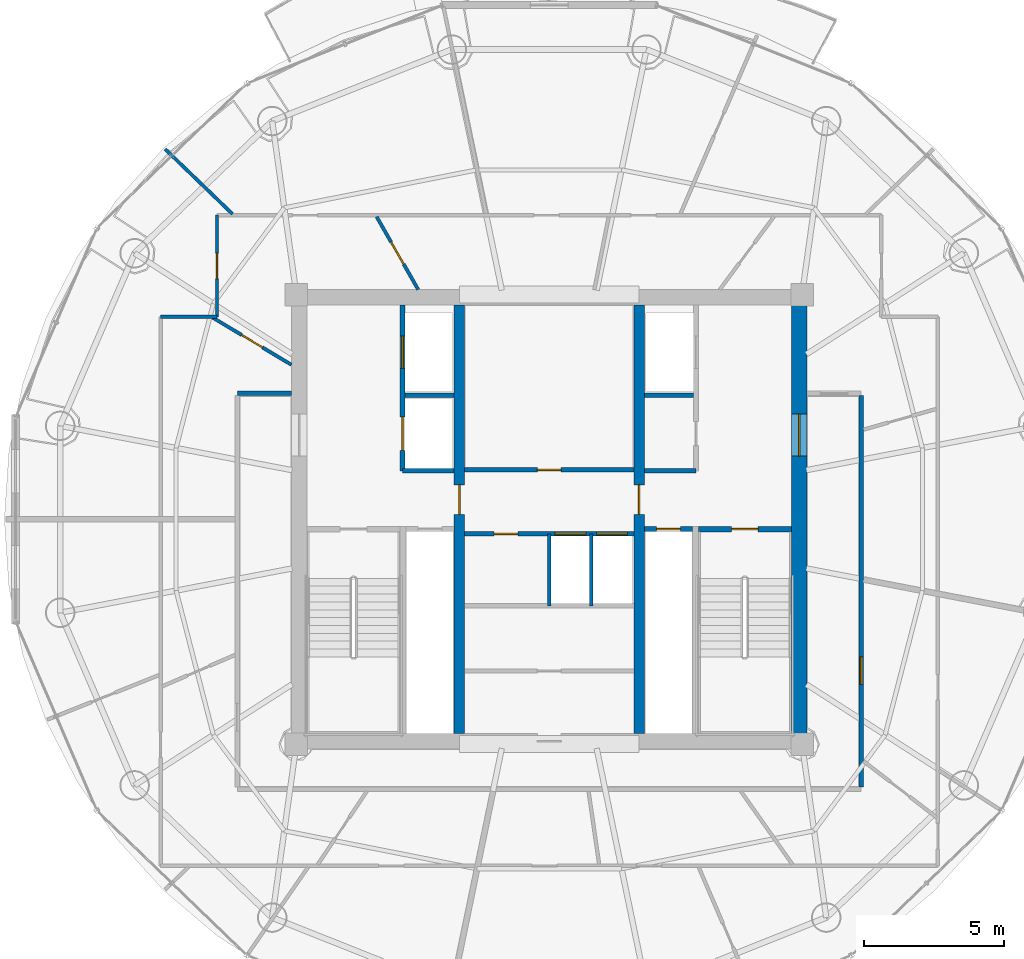
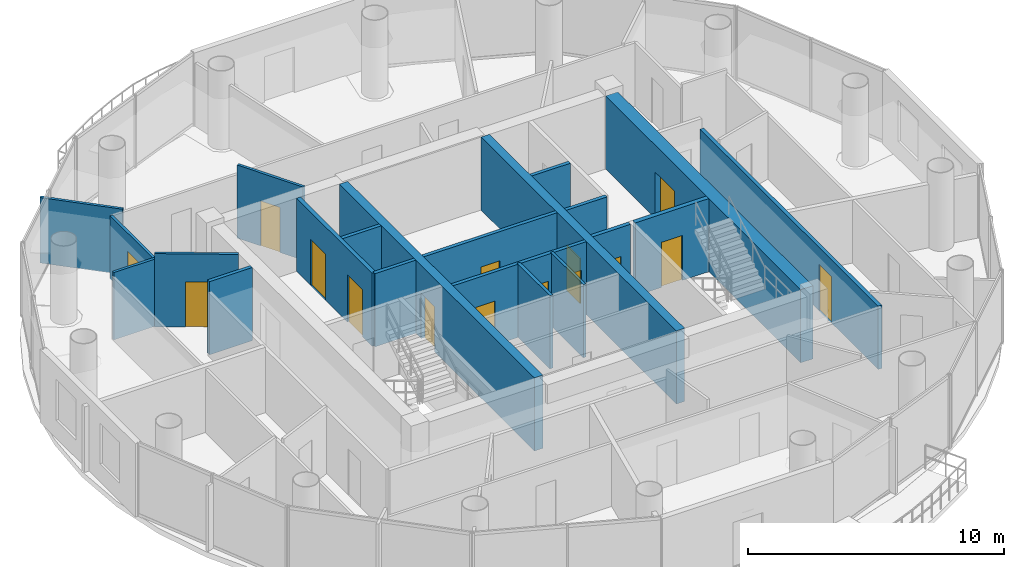
# One storey, part 18 of 23: 21 walls, 15 doors, 15 openings.
"""IFC4 building model written with IfcOpenShell, lengths in metres."""

from ifc_helpers import new_model, si_unit, direction, frame, frame_2d, origin, place, context, subcontext, project, spatial, rectangle, extrude, source, transform, mapped, material, layer, layer_set, type_object, element, fill, save


model = new_model("IFC4")

# Units and contexts
model_context = context("Model", 3, precision=1e-05, world=origin(), true_north=direction((-0.2419218956, 0.970295726276)))
body_context = subcontext(model_context, "Body", "Model", "MODEL_VIEW")
ifc_project = project(units=[si_unit("LENGTHUNIT", "METRE"), si_unit("AREAUNIT", "SQUARE_METRE"), si_unit("VOLUMEUNIT", "CUBIC_METRE"), si_unit("PLANEANGLEUNIT", "RADIAN"), si_unit("MASSUNIT", "GRAM", prefix="KILO")], contexts=[model_context])

# Site, building, storey
site_placement = place(None, origin())
site = spatial("IfcSite", under=ifc_project, at=site_placement, CompositionType="ELEMENT")
building_placement = place(site_placement, origin())
building = spatial("IfcBuilding", under=site, at=building_placement, Name="Cobrevalo Terracotta Tower", CompositionType="ELEMENT")
storey_placement = place(building_placement, frame((0.0, 0.0, 259.449951171875)))
storey = spatial("IfcBuildingStorey", under=building, at=storey_placement, Name="L68", CompositionType="ELEMENT", Elevation=259.449951171875)

# Wall, opening, door
ifc_material_1 = material(Name="Concrete C50", Category="concrete")
ifc_layer_1 = layer(ifc_material_1, 0.550048828125)
ifc_layer_set_1 = layer_set([ifc_layer_1], Name="Concrete C50")
wall_type_1 = type_object("IfcWallType", Name="Core shear wall 550 mm Concrete C50", PredefinedType="SHEAR", material=ifc_layer_set_1)
wall_1_placement = place(storey_placement, frame((46.89990234375, 19.175048828125, 0.0), z_axis=(0.0, 0.0, 1.0), x_axis=(0.0, 1.0, 0.0)))
wall_1 = element("IfcWall", 1, at=wall_1_placement, inside=storey, type_object=wall_type_1, Name="L68 east core shear wall", PredefinedType="SHEAR", context=body_context, shape_type="SweptSolid", body=[
    extrude(rectangle(XDim=15.25, YDim=0.550048828125, at=frame_2d((7.625, 0.0))), origin(), (0.0, 0.0, 1.0), 3.489990234375),
])
opening_1_placement = place(wall_1_placement, frame((9.875, 0.0, 0.0)))
opening_1 = element("IfcOpeningElement", 2, at=opening_1_placement, cuts=wall_1, Name="Opening ID-14", PredefinedType="OPENING", context=body_context, shape_type="SweptSolid", body=[
    extrude(rectangle(XDim=1.5, YDim=2.199951171875, at=frame_2d((0.75, 1.10009765625))), frame((0.0, 0.28515625, 0.0), z_axis=(0.0, -1.0, 0.0), x_axis=(1.0, 0.0, 0.0)), (0.0, 0.0, 1.0), 0.570068359375),
])
ifc_material_2 = material(Name="Galvanized fire-rated steel", Category="steel")
door_type_1 = type_object("IfcDoorType", Name="Core cross-lobby double fire door 1500x2200 EI 90", OperationType="NOTDEFINED", PredefinedType="DOOR", material=ifc_material_2)
shared_shape_1 = source(origin(), body_context, "Body", "SweptSolid", [
    extrude(rectangle(XDim=1.5, YDim=2.199951171875, at=frame_2d((0.75, 1.10009765625))), frame((0.0, 0.02490234375, 0.0), z_axis=(0.0, -1.0, 0.0), x_axis=(1.0, 0.0, 0.0)), (0.0, 0.0, 1.0), 0.050048828125),
])
door_1_placement = place(opening_1_placement, frame((1.5, 0.0, 0.0), z_axis=(0.0, 0.0, 1.0), x_axis=(-1.0, 0.0, 0.0)))
door_1 = element("IfcDoor", 3, at=door_1_placement, inside=storey, type_object=door_type_1, Name="L68 east firefighting lobby entrance door", OperationType="DOUBLE_DOOR_SINGLE_SWING", OverallHeight=2.199951171875, OverallWidth=1.5, PredefinedType="DOOR", context=body_context, shape_type="MappedRepresentation", body=[
    mapped(shared_shape_1, transform((0.0, 0.0, 0.0), scale=1.0)),
])
fill(opening_1, door_1)

# Walls
ifc_material_3 = material(Name="Gypsum board on steel stud", Category="steel")
ifc_layer_2 = layer(ifc_material_3, 0.159912109375)
ifc_layer_set_2 = layer_set([ifc_layer_2], Name="Gypsum board on steel stud")
wall_type_2 = type_object("IfcWallType", Name="Fire-rated corridor acoustic partition wall 160 mm", PredefinedType="PARTITIONING", material=ifc_layer_set_2)
wall_2_placement = place(storey_placement, frame((32.860107421875, 31.219970703125, 0.0), z_axis=(0.0, 0.0, 1.0), x_axis=(1.0, 0.0, 0.0)))
element("IfcWall", 4, at=wall_2_placement, inside=storey, type_object=wall_type_2, Name="L68 interior partition IW-L68-FF1-M", PredefinedType="PARTITIONING", context=body_context, shape_type="SweptSolid", body=[
    extrude(rectangle(XDim=1.75, YDim=0.159912109375, at=frame_2d((0.875, 0.0))), origin(), (0.0, 0.0, 1.0), 3.489990234375),
])
wall_3_placement = place(storey_placement, frame((32.77001953125, 28.52001953125, 0.0), z_axis=(0.0, 0.0, 1.0), x_axis=(1.0, 0.0, 0.0)))
element("IfcWall", 5, at=wall_3_placement, inside=storey, type_object=wall_type_2, Name="L68 interior partition IW-L68-FF1-S", PredefinedType="PARTITIONING", context=body_context, shape_type="SweptSolid", body=[
    extrude(rectangle(XDim=1.840087890625, YDim=0.159912109375, at=frame_2d((0.919921875, 0.0))), origin(), (0.0, 0.0, 1.0), 3.489990234375),
])
wall_4_placement = place(storey_placement, frame((41.389892578125, 31.219970703125, 0.0), z_axis=(0.0, 0.0, 1.0), x_axis=(1.0, 0.0, 0.0)))
element("IfcWall", 6, at=wall_4_placement, inside=storey, type_object=wall_type_2, Name="L68 interior partition IW-L68-FF2-M", PredefinedType="PARTITIONING", context=body_context, shape_type="SweptSolid", body=[
    extrude(rectangle(XDim=1.75, YDim=0.159912109375, at=frame_2d((0.875, 0.0))), origin(), (0.0, 0.0, 1.0), 3.489990234375),
])
wall_5_placement = place(storey_placement, frame((41.389892578125, 28.52001953125, 0.0), z_axis=(0.0, 0.0, 1.0), x_axis=(1.0, 0.0, 0.0)))
element("IfcWall", 7, at=wall_5_placement, inside=storey, type_object=wall_type_2, Name="L68 interior partition IW-L68-FF2-S", PredefinedType="PARTITIONING", context=body_context, shape_type="SweptSolid", body=[
    extrude(rectangle(XDim=1.840087890625, YDim=0.159912109375, at=frame_2d((0.919921875, 0.0))), origin(), (0.0, 0.0, 1.0), 3.489990234375),
])

# Wall, opening, door
wall_6_placement = place(storey_placement, frame((34.989990234375, 28.56005859375, 0.0), z_axis=(0.0, 0.0, 1.0), x_axis=(1.0, 0.0, 0.0)))
wall_6 = element("IfcWall", 8, at=wall_6_placement, inside=storey, type_object=wall_type_2, Name="L68 interior partition IW-L68-LB-S", PredefinedType="PARTITIONING", context=body_context, shape_type="SweptSolid", body=[
    extrude(rectangle(XDim=6.02001953125, YDim=0.159912109375, at=frame_2d((3.010009765625, 0.0))), origin(), (0.0, 0.0, 1.0), 3.489990234375),
])
opening_2_placement = place(wall_6_placement, frame((2.5849609375, 0.0, 0.0)))
opening_2 = element("IfcOpeningElement", 9, at=opening_2_placement, cuts=wall_6, Name="Opening ID-22", PredefinedType="OPENING", context=body_context, shape_type="SweptSolid", body=[
    extrude(rectangle(XDim=0.85009765625, YDim=2.10009765625, at=frame_2d((0.425048828125, 1.050048828125))), frame((0.0, 0.08984375, 0.0), z_axis=(0.0, -1.0, 0.0), x_axis=(1.0, 0.0, 0.0)), (0.0, 0.0, 1.0), 0.179931640625),
])
ifc_material_4 = material(Name="Powder-coated steel", Category="steel")
door_type_2 = type_object("IfcDoorType", Name="Riser shaft & meter closet fire access door 850x2100 EI 60", OperationType="NOTDEFINED", PredefinedType="DOOR", material=ifc_material_4)
shared_shape_2 = source(origin(), body_context, "Body", "SweptSolid", [
    extrude(rectangle(XDim=0.85009765625, YDim=2.10009765625, at=frame_2d((0.425048828125, 1.050048828125))), frame((0.0, 0.02490234375, 0.0), z_axis=(0.0, -1.0, 0.0), x_axis=(1.0, 0.0, 0.0)), (0.0, 0.0, 1.0), 0.050048828125),
])
door_2_placement = place(opening_2_placement, origin())
door_2 = element("IfcDoor", 10, at=door_2_placement, inside=storey, type_object=door_type_2, Name="L68 core service door Floor Electrical Switchroom", OperationType="SINGLE_SWING_LEFT", OverallHeight=2.10009765625, OverallWidth=0.85009765625, PredefinedType="DOOR", context=body_context, shape_type="MappedRepresentation", body=[
    mapped(shared_shape_2, transform((0.0, 0.0, 0.0), scale=1.0)),
])
fill(opening_2, door_2)

# Wall, openings, doors
wall_7_placement = place(storey_placement, frame((34.989990234375, 26.280029296875, 0.0), z_axis=(0.0, 0.0, 1.0), x_axis=(1.0, 0.0, 0.0)))
wall_7 = element("IfcWall", 11, at=wall_7_placement, inside=storey, type_object=wall_type_2, Name="L68 interior partition IW-L68-MB-N", PredefinedType="PARTITIONING", context=body_context, shape_type="SweptSolid", body=[
    extrude(rectangle(XDim=6.02001953125, YDim=0.159912109375, at=frame_2d((3.010009765625, 0.0))), origin(), (0.0, 0.0, 1.0), 3.489990234375),
])
opening_3_placement = place(wall_7_placement, frame((1.044921875, 0.0, 0.0)))
opening_3 = element("IfcOpeningElement", 12, at=opening_3_placement, cuts=wall_7, Name="Opening ID-22", PredefinedType="OPENING", context=body_context, shape_type="SweptSolid", body=[
    extrude(rectangle(XDim=0.85009765625, YDim=2.10009765625, at=frame_2d((0.425048828125, 1.050048828125))), frame((0.0, 0.08984375, 0.0), z_axis=(0.0, -1.0, 0.0), x_axis=(1.0, 0.0, 0.0)), (0.0, 0.0, 1.0), 0.179931640625),
])
opening_4_placement = place(wall_7_placement, frame((3.215087890625, 0.0, 0.0)))
opening_4 = element("IfcOpeningElement", 13, at=opening_4_placement, cuts=wall_7, Name="Opening LD-01", PredefinedType="OPENING", context=body_context, shape_type="SweptSolid", body=[
    extrude(rectangle(XDim=1.10009765625, YDim=2.199951171875, at=frame_2d((0.550048828125, 1.10009765625))), frame((0.0, 0.08984375, 0.0), z_axis=(0.0, -1.0, 0.0), x_axis=(1.0, 0.0, 0.0)), (0.0, 0.0, 1.0), 0.179931640625),
])
opening_5_placement = place(wall_7_placement, frame((4.695068359375, 0.0, 0.0)))
opening_5 = element("IfcOpeningElement", 14, at=opening_5_placement, cuts=wall_7, Name="Opening LD-01", PredefinedType="OPENING", context=body_context, shape_type="SweptSolid", body=[
    extrude(rectangle(XDim=1.10009765625, YDim=2.199951171875, at=frame_2d((0.550048828125, 1.10009765625))), frame((0.0, 0.08984375, 0.0), z_axis=(0.0, -1.0, 0.0), x_axis=(1.0, 0.0, 0.0)), (0.0, 0.0, 1.0), 0.179931640625),
])
door_3_placement = place(opening_3_placement, frame((0.85009765625, 0.0, 0.0), z_axis=(0.0, 0.0, 1.0), x_axis=(-1.0, 0.0, 0.0)))
door_3 = element("IfcDoor", 15, at=door_3_placement, inside=storey, type_object=door_type_2, Name="L68 core room door High-Rise Core Linen and Equipment Store", OperationType="SINGLE_SWING_RIGHT", OverallHeight=2.10009765625, OverallWidth=0.85009765625, PredefinedType="DOOR", context=body_context, shape_type="MappedRepresentation", body=[
    mapped(shared_shape_2, transform((0.0, 0.0, 0.0), scale=1.0)),
])
fill(opening_3, door_3)
ifc_material_5 = material(Name="Brushed stainless steel", Category="steel")
door_type_3 = type_object("IfcDoorType", Name="Passenger lift landing bi-parting sliding door 1100x2200 EI 90", OperationType="DOUBLE_DOOR_SLIDING", PredefinedType="DOOR", material=ifc_material_5)
shared_shape_3 = source(origin(), body_context, "Body", "SweptSolid", [
    extrude(rectangle(XDim=1.10009765625, YDim=2.199951171875, at=frame_2d((0.550048828125, 1.10009765625))), frame((0.0, 0.02490234375, 0.0), z_axis=(0.0, -1.0, 0.0), x_axis=(1.0, 0.0, 0.0)), (0.0, 0.0, 1.0), 0.050048828125),
])
door_4_placement = place(opening_4_placement, origin())
door_4 = element("IfcDoor", 16, at=door_4_placement, inside=storey, type_object=door_type_3, Name="L68 lift landing door PL-H1", OperationType="DOUBLE_DOOR_SLIDING", OverallHeight=2.199951171875, OverallWidth=1.10009765625, PredefinedType="DOOR", context=body_context, shape_type="MappedRepresentation", body=[
    mapped(shared_shape_3, transform((0.0, 0.0, 0.0), scale=1.0)),
])
fill(opening_4, door_4)
door_5_placement = place(opening_5_placement, origin())
door_5 = element("IfcDoor", 17, at=door_5_placement, inside=storey, type_object=door_type_3, Name="L68 lift landing door PL-H2", OperationType="DOUBLE_DOOR_SLIDING", OverallHeight=2.199951171875, OverallWidth=1.10009765625, PredefinedType="DOOR", context=body_context, shape_type="MappedRepresentation", body=[
    mapped(shared_shape_3, transform((0.0, 0.0, 0.0), scale=1.0)),
])
fill(opening_5, door_5)

# Wall
wall_8_placement = place(storey_placement, frame((26.89501953125, 31.280029296875, 0.0), z_axis=(0.0, 0.0, 1.0), x_axis=(1.0, 0.0, 0.0)))
element("IfcWall", 18, at=wall_8_placement, inside=storey, type_object=wall_type_2, Name="L68 interior partition IW-L68-COR-WN-CAP", PredefinedType="PARTITIONING", context=body_context, shape_type="SweptSolid", body=[
    extrude(rectangle(XDim=1.929931640625, YDim=0.159912109375, at=frame_2d((0.96484375, 0.0))), origin(), (0.0, 0.0, 1.0), 3.489990234375),
])

# Wall, opening, door
wall_9_placement = place(storey_placement, frame((49.10498046875, 17.27490234375, 0.0), z_axis=(0.0, 0.0, 1.0), x_axis=(0.0, 1.0, 0.0)))
wall_9 = element("IfcWall", 19, at=wall_9_placement, inside=storey, type_object=wall_type_2, Name="L68 interior partition IW-L68-COR-E", PredefinedType="PARTITIONING", context=body_context, shape_type="SweptSolid", body=[
    extrude(rectangle(XDim=13.925048828125, YDim=0.159912109375, at=frame_2d((6.96240234375, 0.0))), origin(), (0.0, 0.0, 1.0), 3.01513671875),
])
opening_6_placement = place(wall_9_placement, frame((3.647216796875, 0.0, 0.0)))
opening_6 = element("IfcOpeningElement", 20, at=opening_6_placement, cuts=wall_9, Name="Opening ID-05", PredefinedType="OPENING", context=body_context, shape_type="SweptSolid", body=[
    extrude(rectangle(XDim=0.97998046875, YDim=2.199951171875, at=frame_2d((0.489990234375, 1.10009765625))), frame((0.0, 0.08984375, 0.0), z_axis=(0.0, -1.0, 0.0), x_axis=(1.0, 0.0, 0.0)), (0.0, 0.0, 1.0), 0.179931640625),
])
ifc_material_6 = material(Name="Solid hardwood timber", Category="wood")
door_type_4 = type_object("IfcDoorType", Name="Residence entrance fire-rated acoustic timber door 980x2200 EI 60", OperationType="NOTDEFINED", PredefinedType="DOOR", material=ifc_material_6)
shared_shape_4 = source(origin(), body_context, "Body", "SweptSolid", [
    extrude(rectangle(XDim=0.97998046875, YDim=2.199951171875, at=frame_2d((0.489990234375, 1.10009765625))), frame((0.0, 0.02490234375, 0.0), z_axis=(0.0, -1.0, 0.0), x_axis=(1.0, 0.0, 0.0)), (0.0, 0.0, 1.0), 0.050048828125),
])
door_6_placement = place(opening_6_placement, frame((0.97998046875, 0.0, 0.0), z_axis=(0.0, 0.0, 1.0), x_axis=(-1.0, 0.0, 0.0)))
door_6 = element("IfcDoor", 21, at=door_6_placement, inside=storey, type_object=door_type_4, Name="Flat L68C fire-rated apartment entrance door", OperationType="SINGLE_SWING_RIGHT", OverallHeight=2.199951171875, OverallWidth=0.97998046875, PredefinedType="DOOR", context=body_context, shape_type="MappedRepresentation", body=[
    mapped(shared_shape_4, transform((0.0, 0.0, 0.0), scale=1.0)),
])
fill(opening_6, door_6)

ifc_layer_3 = layer(ifc_material_3, 0.179931640625)
ifc_layer_set_3 = layer_set([ifc_layer_3], Name="Gypsum board on steel stud")
wall_type_3 = type_object("IfcWallType", Name="Fire-rated shaft & lobby acoustic partition wall 180 mm", PredefinedType="PARTITIONING", material=ifc_layer_set_3)
wall_10_placement = place(storey_placement, frame((41.389892578125, 26.449951171875, 0.0), z_axis=(0.0, 0.0, 1.0), x_axis=(1.0, 0.0, 0.0)))
wall_10 = element("IfcWall", 22, at=wall_10_placement, inside=storey, type_object=wall_type_3, Name="L68 interior partition IW-L68-RSE-N", PredefinedType="PARTITIONING", context=body_context, shape_type="SweptSolid", body=[
    extrude(rectangle(XDim=1.710205078125, YDim=0.179931640625, at=frame_2d((0.85498046875, 0.0))), origin(), (0.0, 0.0, 1.0), 3.489990234375),
])
opening_7_placement = place(wall_10_placement, frame((0.429931640625, 0.0, 0.0)))
opening_7 = element("IfcOpeningElement", 23, at=opening_7_placement, cuts=wall_10, Name="Opening ID-22", PredefinedType="OPENING", context=body_context, shape_type="SweptSolid", body=[
    extrude(rectangle(XDim=0.85009765625, YDim=2.10009765625, at=frame_2d((0.425048828125, 1.050048828125))), frame((0.0, 0.10009765625, 0.0), z_axis=(0.0, -1.0, 0.0), x_axis=(1.0, 0.0, 0.0)), (0.0, 0.0, 1.0), 0.199951171875),
])
door_7_placement = place(opening_7_placement, origin())
door_7 = element("IfcDoor", 24, at=door_7_placement, inside=storey, type_object=door_type_2, Name="L68 riser access door RSE", OperationType="SINGLE_SWING_RIGHT", OverallHeight=2.10009765625, OverallWidth=0.85009765625, PredefinedType="DOOR", context=body_context, shape_type="MappedRepresentation", body=[
    mapped(shared_shape_2, transform((0.0, 0.0, 0.0), scale=1.0)),
])
fill(opening_7, door_7)

# Wall, openings, doors
wall_11_placement = place(storey_placement, frame((32.77001953125, 28.52001953125, 0.0), z_axis=(0.0, 0.0, 1.0), x_axis=(0.0, 1.0, 0.0)))
wall_11 = element("IfcWall", 25, at=wall_11_placement, inside=storey, type_object=wall_type_3, Name="L68 interior partition IW-L68-FF1-W", PredefinedType="PARTITIONING", context=body_context, shape_type="SweptSolid", body=[
    extrude(rectangle(XDim=5.905029296875, YDim=0.179931640625, at=frame_2d((2.95263671875, 0.0))), origin(), (0.0, 0.0, 1.0), 3.489990234375),
])
opening_8_placement = place(wall_11_placement, frame((3.655029296875, 0.0, 0.0)))
opening_8 = element("IfcOpeningElement", 26, at=opening_8_placement, cuts=wall_11, Name="Opening LD-02", PredefinedType="OPENING", context=body_context, shape_type="SweptSolid", body=[
    extrude(rectangle(XDim=1.14990234375, YDim=2.199951171875, at=frame_2d((0.574951171875, 1.10009765625))), frame((0.0, 0.10009765625, 0.0), z_axis=(0.0, -1.0, 0.0), x_axis=(1.0, 0.0, 0.0)), (0.0, 0.0, 1.0), 0.199951171875),
])
opening_9_placement = place(wall_11_placement, frame((0.72998046875, 0.0, 0.0)))
opening_9 = element("IfcOpeningElement", 27, at=opening_9_placement, cuts=wall_11, Name="Opening LD-03", PredefinedType="OPENING", context=body_context, shape_type="SweptSolid", body=[
    extrude(rectangle(XDim=1.199951171875, YDim=2.25, at=frame_2d((0.60009765625, 1.125))), frame((0.0, 0.10009765625, 0.0), z_axis=(0.0, -1.0, 0.0), x_axis=(1.0, 0.0, 0.0)), (0.0, 0.0, 1.0), 0.199951171875),
])
door_type_5 = type_object("IfcDoorType", Name="Firefighting lift landing bi-parting sliding door 1150x2200 EI 120", OperationType="DOUBLE_DOOR_SLIDING", PredefinedType="DOOR", material=ifc_material_5)
shared_shape_5 = source(origin(), body_context, "Body", "SweptSolid", [
    extrude(rectangle(XDim=1.14990234375, YDim=2.199951171875, at=frame_2d((0.574951171875, 1.10009765625))), frame((0.0, 0.02490234375, 0.0), z_axis=(0.0, -1.0, 0.0), x_axis=(1.0, 0.0, 0.0)), (0.0, 0.0, 1.0), 0.050048828125),
])
door_8_placement = place(opening_8_placement, origin())
door_8 = element("IfcDoor", 28, at=door_8_placement, inside=storey, type_object=door_type_5, Name="L68 lift landing door FF-1", OperationType="DOUBLE_DOOR_SLIDING", OverallHeight=2.199951171875, OverallWidth=1.14990234375, PredefinedType="DOOR", context=body_context, shape_type="MappedRepresentation", body=[
    mapped(shared_shape_5, transform((0.0, 0.0, 0.0), scale=1.0)),
])
fill(opening_8, door_8)
door_type_6 = type_object("IfcDoorType", Name="Service lift landing bi-parting sliding door 1200x2250 EI 120", OperationType="DOUBLE_DOOR_SLIDING", PredefinedType="DOOR", material=ifc_material_5)
shared_shape_6 = source(origin(), body_context, "Body", "SweptSolid", [
    extrude(rectangle(XDim=1.199951171875, YDim=2.25, at=frame_2d((0.60009765625, 1.125))), frame((0.0, 0.02490234375, 0.0), z_axis=(0.0, -1.0, 0.0), x_axis=(1.0, 0.0, 0.0)), (0.0, 0.0, 1.0), 0.050048828125),
])
door_9_placement = place(opening_9_placement, origin())
door_9 = element("IfcDoor", 29, at=door_9_placement, inside=storey, type_object=door_type_6, Name="L68 lift landing door SV-1", OperationType="DOUBLE_DOOR_SLIDING", OverallHeight=2.25, OverallWidth=1.199951171875, PredefinedType="DOOR", context=body_context, shape_type="MappedRepresentation", body=[
    mapped(shared_shape_6, transform((0.0, 0.0, 0.0), scale=1.0)),
])
fill(opening_9, door_9)

# Wall
ifc_material_7 = material(Name="Autoclaved aerated concrete block", Category="concrete")
ifc_layer_4 = layer(ifc_material_7, 0.1201171875)
ifc_layer_set_4 = layer_set([ifc_layer_4], Name="Autoclaved aerated concrete block")
wall_type_4 = type_object("IfcWallType", Name="Fire-rated wet-room & core service partition 120 mm", PredefinedType="PARTITIONING", material=ifc_layer_set_4)
wall_12_placement = place(storey_placement, frame((39.5, 23.719970703125, 0.0), z_axis=(0.0, 0.0, 1.0), x_axis=(0.0, 1.0, 0.0)))
element("IfcWall", 30, at=wall_12_placement, inside=storey, type_object=wall_type_4, Name="L68 interior partition IW-L68-MB-D3", PredefinedType="PARTITIONING", context=body_context, shape_type="SweptSolid", body=[
    extrude(rectangle(XDim=2.56005859375, YDim=0.1201171875, at=frame_2d((1.280029296875, 0.0))), origin(), (0.0, 0.0, 1.0), 3.489990234375),
])

# Wall, opening, door
ifc_layer_5 = layer(ifc_material_1, 0.3798828125)
ifc_layer_set_5 = layer_set([ifc_layer_5], Name="Concrete C50")
wall_type_5 = type_object("IfcWallType", Name="Internal core shear web wall 380 mm Concrete C50", PredefinedType="SHEAR", material=ifc_layer_set_5)
wall_13_placement = place(storey_placement, frame((34.800048828125, 19.175048828125, 0.0), z_axis=(0.0, 0.0, 1.0), x_axis=(0.0, 1.0, 0.0)))
wall_13 = element("IfcWall", 31, at=wall_13_placement, inside=storey, type_object=wall_type_5, Name="L68 internal core shear wall WEB-W", PredefinedType="SHEAR", context=body_context, shape_type="SweptSolid", body=[
    extrude(rectangle(XDim=15.25, YDim=0.3798828125, at=frame_2d((7.625, 0.0))), origin(), (0.0, 0.0, 1.0), 3.489990234375),
])
opening_10_placement = place(wall_13_placement, frame((7.800048828125, 0.0, 0.0)))
opening_10 = element("IfcOpeningElement", 32, at=opening_10_placement, cuts=wall_13, Name="Opening ID-11", PredefinedType="OPENING", context=body_context, shape_type="SweptSolid", body=[
    extrude(rectangle(XDim=1.050048828125, YDim=2.14990234375, at=frame_2d((0.52490234375, 1.074951171875))), frame((0.0, 0.199951171875, 0.0), z_axis=(0.0, -1.0, 0.0), x_axis=(1.0, 0.0, 0.0)), (0.0, 0.0, 1.0), 0.39990234375),
])
door_type_7 = type_object("IfcDoorType", Name="Core concourse cross fire door 1050x2150 EI 90", OperationType="NOTDEFINED", PredefinedType="DOOR", material=ifc_material_2)
shared_shape_7 = source(origin(), body_context, "Body", "SweptSolid", [
    extrude(rectangle(XDim=1.050048828125, YDim=2.14990234375, at=frame_2d((0.52490234375, 1.074951171875))), frame((0.0, 0.02490234375, 0.0), z_axis=(0.0, -1.0, 0.0), x_axis=(1.0, 0.0, 0.0)), (0.0, 0.0, 1.0), 0.050048828125),
])
door_10_placement = place(opening_10_placement, origin())
door_10 = element("IfcDoor", 33, at=door_10_placement, inside=storey, type_object=door_type_7, Name="L68 west core concourse cross door", OperationType="SINGLE_SWING_LEFT", OverallHeight=2.14990234375, OverallWidth=1.050048828125, PredefinedType="DOOR", context=body_context, shape_type="MappedRepresentation", body=[
    mapped(shared_shape_7, transform((0.0, 0.0, 0.0), scale=1.0)),
])
fill(opening_10, door_10)

wall_14_placement = place(storey_placement, frame((41.199951171875, 19.175048828125, 0.0), z_axis=(0.0, 0.0, 1.0), x_axis=(0.0, 1.0, 0.0)))
wall_14 = element("IfcWall", 34, at=wall_14_placement, inside=storey, type_object=wall_type_5, Name="L68 internal core shear wall WEB-E", PredefinedType="SHEAR", context=body_context, shape_type="SweptSolid", body=[
    extrude(rectangle(XDim=15.25, YDim=0.3798828125, at=frame_2d((7.625, 0.0))), origin(), (0.0, 0.0, 1.0), 3.489990234375),
])
opening_11_placement = place(wall_14_placement, frame((7.800048828125, 0.0, 0.0)))
opening_11 = element("IfcOpeningElement", 35, at=opening_11_placement, cuts=wall_14, Name="Opening ID-11", PredefinedType="OPENING", context=body_context, shape_type="SweptSolid", body=[
    extrude(rectangle(XDim=1.050048828125, YDim=2.14990234375, at=frame_2d((0.52490234375, 1.074951171875))), frame((0.0, 0.199951171875, 0.0), z_axis=(0.0, -1.0, 0.0), x_axis=(1.0, 0.0, 0.0)), (0.0, 0.0, 1.0), 0.39990234375),
])
door_11_placement = place(opening_11_placement, frame((1.050048828125, 0.0, 0.0), z_axis=(0.0, 0.0, 1.0), x_axis=(-1.0, 0.0, 0.0)))
door_11 = element("IfcDoor", 36, at=door_11_placement, inside=storey, type_object=door_type_7, Name="L68 east core concourse cross door", OperationType="SINGLE_SWING_RIGHT", OverallHeight=2.14990234375, OverallWidth=1.050048828125, PredefinedType="DOOR", context=body_context, shape_type="MappedRepresentation", body=[
    mapped(shared_shape_7, transform((0.0, 0.0, 0.0), scale=1.0)),
])
fill(opening_11, door_11)

# Walls
ifc_layer_6 = layer(ifc_material_7, 0.139892578125)
ifc_layer_set_6 = layer_set([ifc_layer_6], Name="Autoclaved aerated concrete block")
wall_type_6 = type_object("IfcWallType", Name="Moisture-resistant wet-room & core service partition 140 mm", PredefinedType="PARTITIONING", material=ifc_layer_set_6)
wall_15_placement = place(storey_placement, frame((38.0, 23.719970703125, 0.0), z_axis=(0.0, 0.0, 1.0), x_axis=(0.0, 1.0, 0.0)))
element("IfcWall", 37, at=wall_15_placement, inside=storey, type_object=wall_type_6, Name="L68 interior partition IW-L68-MB-D2", PredefinedType="PARTITIONING", context=body_context, shape_type="SweptSolid", body=[
    extrude(rectangle(XDim=2.56005859375, YDim=0.139892578125, at=frame_2d((1.280029296875, 0.0))), origin(), (0.0, 0.0, 1.0), 3.489990234375),
])
ifc_layer_7 = layer(ifc_material_3, 0.1201171875)
ifc_layer_set_7 = layer_set([ifc_layer_7], Name="Gypsum board on steel stud")
wall_type_7 = type_object("IfcWallType", Name="Residential internal acoustic stud partition 120 mm", PredefinedType="PARTITIONING", material=ifc_layer_set_7)
wall_16_placement = place(storey_placement, frame((24.1650390625, 34.010009765625, 0.0), z_axis=(0.0, 0.0, 1.0), x_axis=(1.0, 0.0, 0.0)))
element("IfcWall", 38, at=wall_16_placement, inside=storey, type_object=wall_type_7, Name="L68 interior partition IW-L68-U1-RING1_0", PredefinedType="PARTITIONING", context=body_context, shape_type="SweptSolid", body=[
    extrude(rectangle(XDim=2.010009765625, YDim=0.1201171875, at=frame_2d((1.0048828125, 0.0))), origin(), (0.0, 0.0, 1.0), 3.208984375),
])

# Wall, opening, door
wall_17_placement = place(storey_placement, frame((26.175048828125, 34.010009765625, 0.0), z_axis=(0.0, 0.0, 1.0), x_axis=(0.0, 1.0, 0.0)))
wall_17 = element("IfcWall", 39, at=wall_17_placement, inside=storey, type_object=wall_type_7, Name="L68 interior partition IW-L68-U1-RING2_0", PredefinedType="PARTITIONING", context=body_context, shape_type="SweptSolid", body=[
    extrude(rectangle(XDim=3.614990234375, YDim=0.1201171875, at=frame_2d((1.8076171875, 0.0))), origin(), (0.0, 0.0, 1.0), 3.01513671875),
])
opening_12_placement = place(wall_17_placement, frame((1.357421875, 0.0, 0.0)))
opening_12 = element("IfcOpeningElement", 40, at=opening_12_placement, cuts=wall_17, Name="Opening ID-12", PredefinedType="OPENING", context=body_context, shape_type="SweptSolid", body=[
    extrude(rectangle(XDim=0.89990234375, YDim=2.14990234375, at=frame_2d((0.449951171875, 1.074951171875))), frame((0.0, 0.070068359375, 0.0), z_axis=(0.0, -1.0, 0.0), x_axis=(1.0, 0.0, 0.0)), (0.0, 0.0, 1.0), 0.14013671875),
])
ifc_material_8 = material(Name="Engineered timber", Category="wood")
door_type_8 = type_object("IfcDoorType", Name="Internal residence & suite timber door 900x2150", OperationType="NOTDEFINED", PredefinedType="DOOR", material=ifc_material_8)
shared_shape_8 = source(origin(), body_context, "Body", "SweptSolid", [
    extrude(rectangle(XDim=0.89990234375, YDim=2.14990234375, at=frame_2d((0.449951171875, 1.074951171875))), frame((0.0, 0.02490234375, 0.0), z_axis=(0.0, -1.0, 0.0), x_axis=(1.0, 0.0, 0.0)), (0.0, 0.0, 1.0), 0.050048828125),
])
door_12_placement = place(opening_12_placement, origin())
door_12 = element("IfcDoor", 41, at=door_12_placement, inside=storey, type_object=door_type_8, Name="Flat L68A Private Cinema Room internal door", OperationType="SINGLE_SWING_LEFT", OverallHeight=2.14990234375, OverallWidth=0.89990234375, PredefinedType="DOOR", context=body_context, shape_type="MappedRepresentation", body=[
    mapped(shared_shape_8, transform((0.0, 0.0, 0.0), scale=1.0)),
])
fill(opening_12, door_12)

# Wall
wall_18_placement = place(storey_placement, frame((26.72509765625, 37.66796875, 0.0), z_axis=(0.0, 0.0, 1.0), x_axis=(-0.719954096891, 0.694021684366, 0.0)))
element("IfcWall", 42, at=wall_18_placement, inside=storey, type_object=wall_type_7, Name="L68 interior partition IW-L68-U1-ORAD3", PredefinedType="PARTITIONING", context=body_context, shape_type="SweptSolid", body=[
    extrude(rectangle(XDim=3.332763671875, YDim=0.1201171875, at=frame_2d((1.66650390625, 0.0))), origin(), (0.0, 0.0, 1.0), 3.12109375),
])

# Wall, opening, door
wall_19_placement = place(storey_placement, frame((33.33642578125, 34.976806640625, 0.0), z_axis=(0.0, 0.0, 1.0), x_axis=(-0.495399243909, 0.868665406894, 0.0)))
wall_19 = element("IfcWall", 43, at=wall_19_placement, inside=storey, type_object=wall_type_7, Name="L68 interior partition IW-L68-U1-IRAD4", PredefinedType="PARTITIONING", context=body_context, shape_type="SweptSolid", body=[
    extrude(rectangle(XDim=2.986572265625, YDim=0.1201171875, at=frame_2d((1.4931640625, 0.0))), origin(), (0.0, 0.0, 1.0), 3.489990234375),
])
opening_13_placement = place(wall_19_placement, frame((1.043212890625, 0.0, 0.0)))
opening_13 = element("IfcOpeningElement", 44, at=opening_13_placement, cuts=wall_19, Name="Opening ID-12", PredefinedType="OPENING", context=body_context, shape_type="SweptSolid", body=[
    extrude(rectangle(XDim=0.89990234375, YDim=2.14990234375, at=frame_2d((0.449951171875, 1.074951171875))), frame((0.0, 0.070068359375, 0.0), z_axis=(0.0, -1.0, 0.0), x_axis=(1.0, 0.0, 0.0)), (0.0, 0.0, 1.0), 0.14013671875),
])
door_13_placement = place(opening_13_placement, origin())
door_13 = element("IfcDoor", 45, at=door_13_placement, inside=storey, type_object=door_type_8, Name="Flat L68A Utility Closet internal door", OperationType="SINGLE_SWING_LEFT", OverallHeight=2.14990234375, OverallWidth=0.89990234375, PredefinedType="DOOR", context=body_context, shape_type="MappedRepresentation", body=[
    mapped(shared_shape_8, transform((0.0, 0.0, 0.0), scale=1.0)),
])
fill(opening_13, door_13)

wall_20_placement = place(storey_placement, frame((28.824951171875, 32.299560546875, 0.0), z_axis=(0.0, 0.0, 1.0), x_axis=(-0.857743539935, 0.514077834282, 0.0)))
wall_20 = element("IfcWall", 46, at=wall_20_placement, inside=storey, type_object=wall_type_7, Name="L68 interior partition IW-L68-U1-IRAD5", PredefinedType="PARTITIONING", context=body_context, shape_type="SweptSolid", body=[
    extrude(rectangle(XDim=3.264892578125, YDim=0.1201171875, at=frame_2d((1.63232421875, 0.0))), origin(), (0.0, 0.0, 1.0), 3.489990234375),
])
opening_14_placement = place(wall_20_placement, frame((1.202392578125, 0.0, 0.0)))
opening_14 = element("IfcOpeningElement", 47, at=opening_14_placement, cuts=wall_20, Name="Opening ID-19", PredefinedType="OPENING", context=body_context, shape_type="SweptSolid", body=[
    extrude(rectangle(XDim=0.860107421875, YDim=2.14990234375, at=frame_2d((0.43017578125, 1.074951171875))), frame((0.0, 0.070068359375, 0.0), z_axis=(0.0, -1.0, 0.0), x_axis=(1.0, 0.0, 0.0)), (0.0, 0.0, 1.0), 0.14013671875),
])
ifc_material_9 = material(Name="Moisture-sealed timber", Category="wood")
door_type_9 = type_object("IfcDoorType", Name="Suite bathroom internal timber door 860x2150", OperationType="NOTDEFINED", PredefinedType="DOOR", material=ifc_material_9)
shared_shape_9 = source(origin(), body_context, "Body", "SweptSolid", [
    extrude(rectangle(XDim=0.860107421875, YDim=2.14990234375, at=frame_2d((0.43017578125, 1.074951171875))), frame((0.0, 0.02490234375, 0.0), z_axis=(0.0, -1.0, 0.0), x_axis=(1.0, 0.0, 0.0)), (0.0, 0.0, 1.0), 0.050048828125),
])
door_14_placement = place(opening_14_placement, origin())
door_14 = element("IfcDoor", 48, at=door_14_placement, inside=storey, type_object=door_type_9, Name="Flat L68A Guest Bathroom internal door", OperationType="SINGLE_SWING_RIGHT", OverallHeight=2.14990234375, OverallWidth=0.860107421875, PredefinedType="DOOR", context=body_context, shape_type="MappedRepresentation", body=[
    mapped(shared_shape_9, transform((0.0, 0.0, 0.0), scale=1.0)),
])
fill(opening_14, door_14)

ifc_layer_8 = layer(ifc_material_1, 0.199951171875)
ifc_layer_set_8 = layer_set([ifc_layer_8], Name="Concrete C50")
wall_type_8 = type_object("IfcWallType", Name="Structural core & podium stair-shaft RC wall 200 mm Concrete C50", PredefinedType="SOLIDWALL", material=ifc_layer_set_8)
wall_21_placement = place(storey_placement, frame((43.304931640625, 26.449951171875, 0.0), z_axis=(0.0, 0.0, 1.0), x_axis=(1.0, 0.0, 0.0)))
wall_21 = element("IfcWall", 49, at=wall_21_placement, inside=storey, type_object=wall_type_8, Name="L68 ST-2 north structural shaft wall", PredefinedType="SOLIDWALL", context=body_context, shape_type="SweptSolid", body=[
    extrude(rectangle(XDim=3.320068359375, YDim=0.199951171875, at=frame_2d((1.66015625, 0.0))), origin(), (0.0, 0.0, 1.0), 3.489990234375),
])
opening_15_placement = place(wall_21_placement, frame((1.18505859375, 0.0, 0.0)))
opening_15 = element("IfcOpeningElement", 50, at=opening_15_placement, cuts=wall_21, Name="Opening ID-04", PredefinedType="OPENING", context=body_context, shape_type="SweptSolid", body=[
    extrude(rectangle(XDim=0.949951171875, YDim=2.14990234375, at=frame_2d((0.47509765625, 1.074951171875))), frame((0.0, 0.10986328125, 0.0), z_axis=(0.0, -1.0, 0.0), x_axis=(1.0, 0.0, 0.0)), (0.0, 0.0, 1.0), 0.219970703125),
])
door_type_10 = type_object("IfcDoorType", Name="Stair & firefighting lobby fire door 950x2150 EI 90", OperationType="NOTDEFINED", PredefinedType="DOOR", material=ifc_material_2)
shared_shape_10 = source(origin(), body_context, "Body", "SweptSolid", [
    extrude(rectangle(XDim=0.949951171875, YDim=2.14990234375, at=frame_2d((0.47509765625, 1.074951171875))), frame((0.0, 0.02490234375, 0.0), z_axis=(0.0, -1.0, 0.0), x_axis=(1.0, 0.0, 0.0)), (0.0, 0.0, 1.0), 0.050048828125),
])
door_15_placement = place(opening_15_placement, frame((0.949951171875, 0.0, 0.0), z_axis=(0.0, 0.0, 1.0), x_axis=(-1.0, 0.0, 0.0)))
door_15 = element("IfcDoor", 51, at=door_15_placement, inside=storey, type_object=door_type_10, Name="L68 protected stair ST2 fire door", OperationType="SINGLE_SWING_RIGHT", OverallHeight=2.14990234375, OverallWidth=0.949951171875, PredefinedType="DOOR", context=body_context, shape_type="MappedRepresentation", body=[
    mapped(shared_shape_10, transform((0.0, 0.0, 0.0), scale=1.0)),
])
fill(opening_15, door_15)

save(model, "model.ifc")
